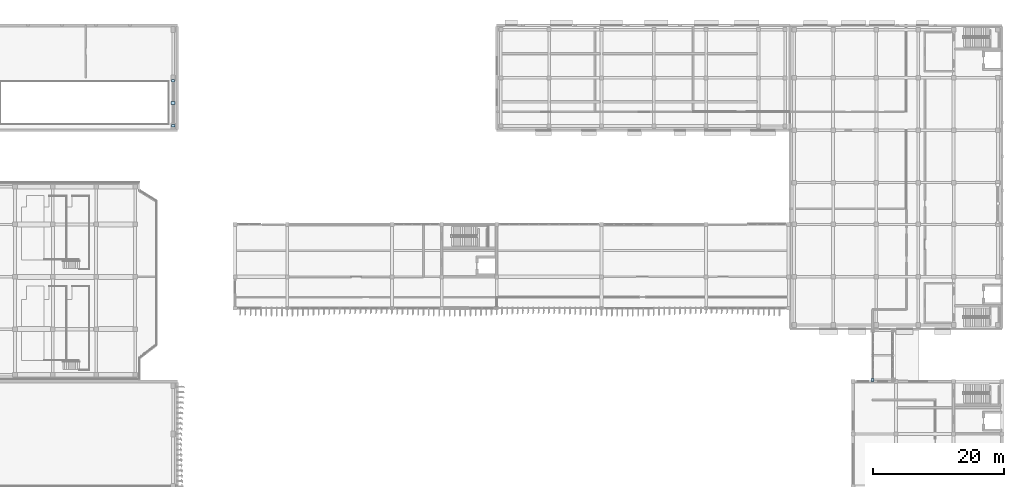
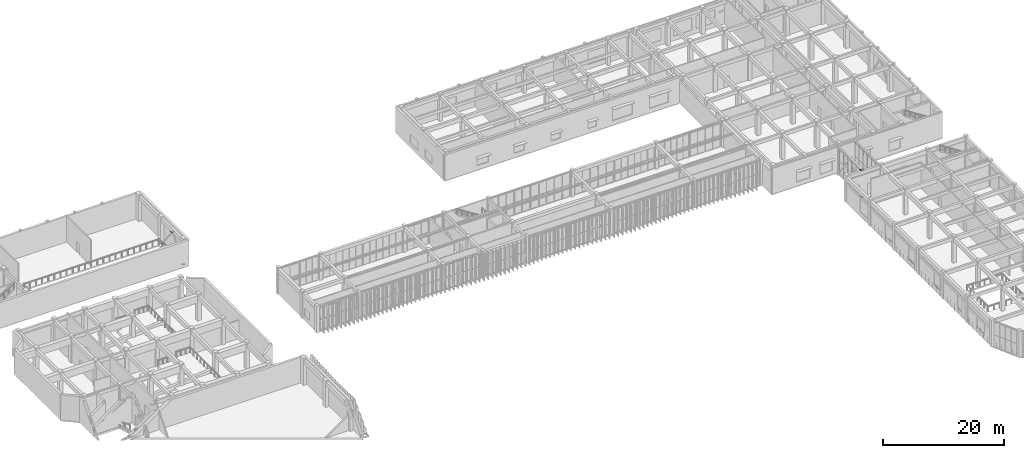
# One storey, part 36 of 64: 5 plates.
"""IFC4 building model written with IfcOpenShell, lengths in metres."""

from ifc_helpers import new_model, si_unit, direction, frame, origin, origin_2d, place, context, subcontext, project, spatial, rectangle, extrude, material, layer, layer_set, type_object, element, save


model = new_model("IFC4")

# Units and contexts
model_context = context("Model", 3, precision=1e-05, world=origin(), true_north=direction((0.0, 1.0)))
body_context = subcontext(model_context, "Body", "Model", "MODEL_VIEW")
ifc_project = project(units=[si_unit("LENGTHUNIT", "METRE"), si_unit("AREAUNIT", "SQUARE_METRE"), si_unit("VOLUMEUNIT", "CUBIC_METRE"), si_unit("PLANEANGLEUNIT", "RADIAN"), si_unit("MASSUNIT", "GRAM", prefix="KILO")], contexts=[model_context])

# Site, building, storey
site_placement = place(None, origin())
site = spatial("IfcSite", under=ifc_project, at=site_placement, CompositionType="ELEMENT")
building_placement = place(site_placement, origin())
building = spatial("IfcBuilding", under=site, at=building_placement, Name="Cinchona Park Media Centre", CompositionType="ELEMENT")
storey_placement = place(building_placement, frame((0.0, 0.0, 10.199951171875)))
storey = spatial("IfcBuildingStorey", under=building, at=storey_placement, Name="L02", CompositionType="ELEMENT", Elevation=10.199951171875)

# Plates
ifc_material_1 = material(Name="Steel S355", Category="steel")
ifc_layer_1 = layer(ifc_material_1, 0.02001953125)
ifc_layer_set_1 = layer_set([ifc_layer_1], Name="Steel S355")
plate_type_1 = type_object("IfcPlateType", Name="PLATE-GP01", PredefinedType="USERDEFINED", material=ifc_layer_set_1)
for number, where, z_axis, x_axis, name in (
    (1, (152.199951171875, 63.860107421875, -0.31005859375), (0.0, 0.0, 1.0), (1.0, 0.0, 0.0), "Truss Node Gusset Plate TN3"),
    (2, (45.360107421875, 109.544921875, -0.0048828125), (0.0, 0.0, 1.0), (1.0, 0.0, 0.0), "Truss Node Gusset Plate TN2"),
):
    element("IfcPlate", number, at=place(storey_placement, frame(where, z_axis=z_axis, x_axis=x_axis)), inside=storey, type_object=plate_type_1, Name=name, ObjectType="GUSSET PLATE", PredefinedType="USERDEFINED", context=body_context, shape_type="SweptSolid", body=[
        extrude(rectangle(XDim=0.419921875, YDim=0.419921875, at=origin_2d()), origin(), (0.0, 0.0, 1.0), 0.02001953125),
    ])
ifc_material_2 = material(Name="Steel S355", Category="steel")
ifc_layer_2 = layer(ifc_material_2, 0.02197265625)
ifc_layer_set_2 = layer_set([ifc_layer_2], Name="Steel S355")
plate_type_2 = type_object("IfcPlateType", Name="PLATE-GP02", PredefinedType="USERDEFINED", material=ifc_layer_set_2)
plate_1_placement = place(storey_placement, frame((152.199951171875, 63.860107421875, 5.13916015625), z_axis=(0.0, 0.0, 1.0), x_axis=(1.0, 0.0, 0.0)))
element("IfcPlate", 3, at=plate_1_placement, inside=storey, type_object=plate_type_2, Name="Truss Node Gusset Plate TN3", ObjectType="GUSSET PLATE", PredefinedType="USERDEFINED", context=body_context, shape_type="SweptSolid", body=[
    extrude(rectangle(XDim=0.47998046875, YDim=0.47998046875, at=origin_2d()), origin(), (0.0, 0.0, 1.0), 0.02197265625),
])
ifc_material_3 = material(Name="Steel S355", Category="steel")
ifc_layer_3 = layer(ifc_material_3, 0.02392578125)
ifc_layer_set_3 = layer_set([ifc_layer_3], Name="Steel S355")
plate_type_3 = type_object("IfcPlateType", Name="PLATE-GP03", PredefinedType="USERDEFINED", material=ifc_layer_set_3)
plate_2_placement = place(storey_placement, frame((45.360107421875, 102.695068359375, -0.0068359375), z_axis=(0.0, 0.0, 1.0), x_axis=(1.0, 0.0, 0.0)))
element("IfcPlate", 4, at=plate_2_placement, inside=storey, type_object=plate_type_3, Name="Truss Node Gusset Plate TN2", ObjectType="GUSSET PLATE", PredefinedType="USERDEFINED", context=body_context, shape_type="SweptSolid", body=[
    extrude(rectangle(XDim=0.5400390625, YDim=0.419921875, at=origin_2d()), origin(), (0.0, 0.0, 1.0), 0.02392578125),
])
ifc_material_4 = material(Name="Steel S355", Category="steel")
ifc_layer_4 = layer(ifc_material_4, 0.02587890625)
ifc_layer_set_4 = layer_set([ifc_layer_4], Name="Steel S355")
plate_type_4 = type_object("IfcPlateType", Name="PLATE-GP04", PredefinedType="USERDEFINED", material=ifc_layer_set_4)
plate_3_placement = place(storey_placement, frame((45.360107421875, 106.1201171875, 4.447021484375), z_axis=(0.0, 0.0, 1.0), x_axis=(1.0, 0.0, 0.0)))
element("IfcPlate", 5, at=plate_3_placement, inside=storey, type_object=plate_type_4, Name="Truss Node Gusset Plate TN2", ObjectType="GUSSET PLATE", PredefinedType="USERDEFINED", context=body_context, shape_type="SweptSolid", body=[
    extrude(rectangle(XDim=0.60009765625, YDim=0.4599609375, at=origin_2d()), origin(), (0.0, 0.0, 1.0), 0.02587890625),
])

save(model, "model.ifc")
